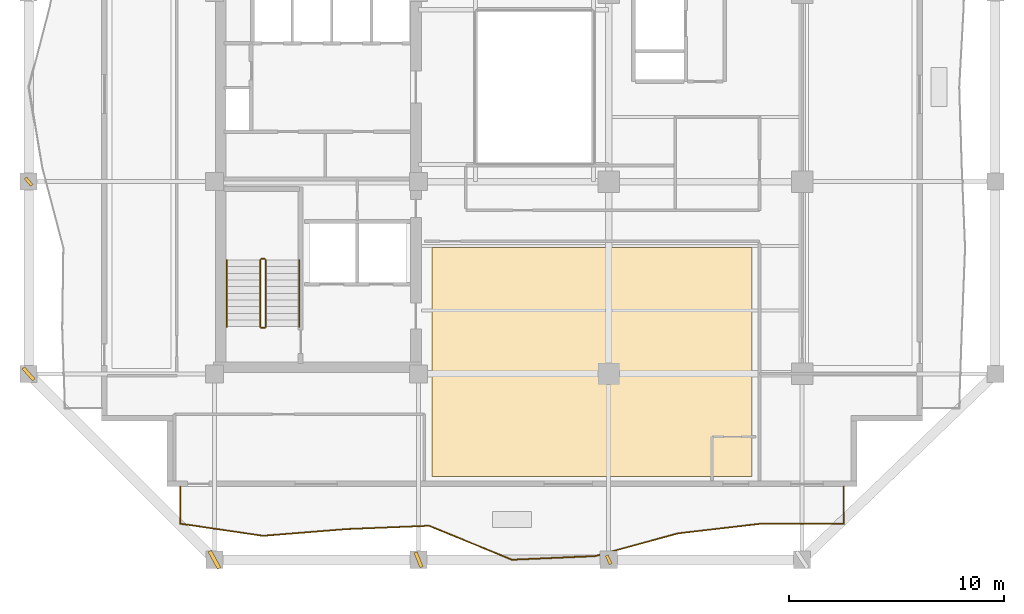
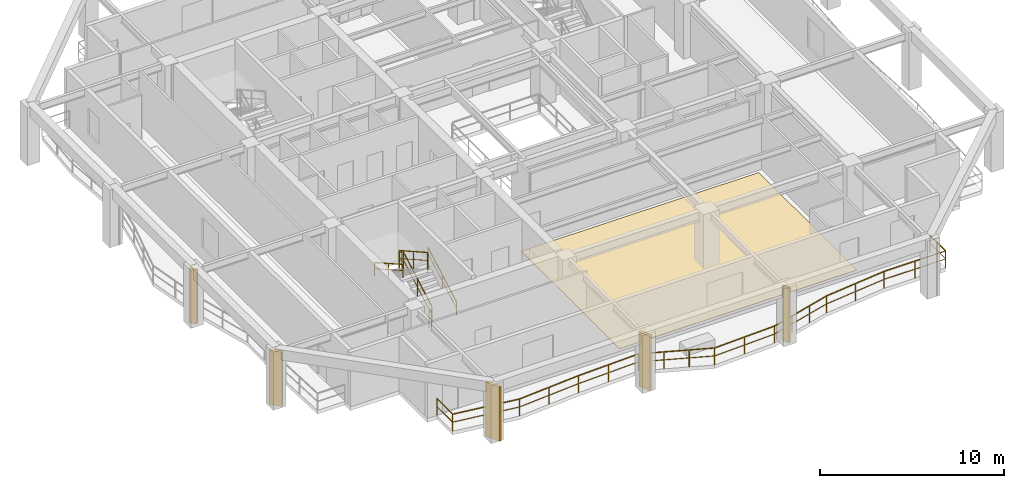
# One storey, part 7 of 10: 7 railings, 5 shading devices, 1 covering.
"""IFC4 building model written with IfcOpenShell, lengths in metres."""

from ifc_helpers import new_model, si_unit, direction, frame, origin, origin_2d, place, context, subcontext, project, spatial, polyline, rectangle, outline, extrude, material, layer, layer_set, type_object, element, save


model = new_model("IFC4")

# Units and contexts
model_context = context("Model", 3, precision=1e-05, world=origin(), true_north=direction((0.0, 1.0)))
body_context = subcontext(model_context, "Body", "Model", "MODEL_VIEW")
ifc_project = project(units=[si_unit("LENGTHUNIT", "METRE"), si_unit("AREAUNIT", "SQUARE_METRE"), si_unit("VOLUMEUNIT", "CUBIC_METRE"), si_unit("PLANEANGLEUNIT", "RADIAN"), si_unit("MASSUNIT", "GRAM", prefix="KILO")], contexts=[model_context])

# Site, building, storey
site_placement = place(None, origin())
site = spatial("IfcSite", under=ifc_project, at=site_placement, CompositionType="ELEMENT")
building_placement = place(site_placement, origin())
building = spatial("IfcBuilding", under=site, at=building_placement, Name="Kundavana Baori Tower", CompositionType="ELEMENT")
storey_placement = place(building_placement, frame((0.0, 0.0, 107.85009765625)))
storey = spatial("IfcBuildingStorey", under=building, at=storey_placement, Name="L25", CompositionType="ELEMENT", Elevation=107.85009765625)

# Covering
ifc_material_1 = material(Name="Honed Kota Stone and Terrazzo Flooring", Category="masonry")
ifc_layer = layer(ifc_material_1, 0.030029296875, Name="COV-INT-FLR")
ifc_layer_set = layer_set([ifc_layer], Name="Honed Kota Stone and Terrazzo Flooring")
covering_type = type_object("IfcCoveringType", Name="COV-INT-FLR", PredefinedType="FLOORING", material=ifc_layer_set)
covering_placement = place(storey_placement, origin())
element("IfcCovering", 1, at=covering_placement, inside=storey, type_object=covering_type, Name="L25 Room Finished Stone Flooring 2", PredefinedType="FLOORING", context=body_context, shape_type="SweptSolid", body=[
    extrude(outline(polyline([(25.580078125, 10.47998046875), (40.4599609375, 10.47998046875), (40.4599609375, 21.139892578125), (25.580078125, 21.139892578125), (25.580078125, 10.47998046875)])), origin(), (0.0, 0.0, 1.0), 0.02978515625),
])

# Railings
ifc_material_2 = material(Name="Architectural Patinated Bronze Metalwork")
railing_type_1 = type_object("IfcRailingType", Name="RL-BAL-1150", PredefinedType="BALUSTRADE", material=ifc_material_2)
railing_1_placement = place(storey_placement, frame((44.75, 10.0, 0.0)))
element("IfcRailing", 2, at=railing_1_placement, inside=storey, type_object=railing_type_1, Name="L25 Loggia Balcony Balustrade S", PredefinedType="BALUSTRADE", context=body_context, shape_type="SweptSolid", body=[
    extrude(rectangle(XDim=0.048095703125, YDim=0.048095703125, at=origin_2d()), frame((0.0, 0.0, 1.1259765625), z_axis=(0.0, -1.0, 0.0), x_axis=(1.0, 0.0, 0.0)), (0.0, 0.0, 1.0), 1.719970703125),
    extrude(rectangle(XDim=0.03125, YDim=0.03125, at=origin_2d()), frame((0.0, 0.0, 0.597900390625), z_axis=(0.0, -1.0, 0.0), x_axis=(1.0, 0.0, 0.0)), (0.0, 0.0, 1.0), 1.719970703125),
    extrude(rectangle(XDim=0.048095703125, YDim=0.048095703125, at=origin_2d()), frame((0.0, -1.719970703125, 1.1259765625), z_axis=(-0.999999422849, -0.001074384768, 0.0), x_axis=(0.001074384768, -0.999999422849, 0.0)), (0.0, 0.0, 1.0), 3.863037109375),
    extrude(rectangle(XDim=0.03125, YDim=0.03125, at=origin_2d()), frame((0.0, -1.719970703125, 0.597900390625), z_axis=(-0.999999422849, -0.001074384768, 0.0), x_axis=(0.001074384768, -0.999999422849, 0.0)), (0.0, 0.0, 1.0), 3.863037109375),
    extrude(rectangle(XDim=0.048095703125, YDim=0.048095703125, at=origin_2d()), frame((-3.863037109375, -1.72412109375, 1.1259765625), z_axis=(-0.993310395598, -0.115474923668, 0.0), x_axis=(0.115474923668, -0.993310395598, 0.0)), (0.0, 0.0, 1.0), 3.88818359375),
    extrude(rectangle(XDim=0.03125, YDim=0.03125, at=origin_2d()), frame((-3.863037109375, -1.72412109375, 0.597900390625), z_axis=(-0.993310395598, -0.115474923668, 0.0), x_axis=(0.115474923668, -0.993310395598, 0.0)), (0.0, 0.0, 1.0), 3.88818359375),
    extrude(rectangle(XDim=0.048095703125, YDim=0.048095703125, at=origin_2d()), frame((-7.72509765625, -2.173095703125, 1.1259765625), z_axis=(-0.96453126467, -0.263968633503, 0.0), x_axis=(0.263968633503, -0.96453126467, 0.0)), (0.0, 0.0, 1.0), 4.00390625),
    extrude(rectangle(XDim=0.03125, YDim=0.03125, at=origin_2d()), frame((-7.72509765625, -2.173095703125, 0.597900390625), z_axis=(-0.96453126467, -0.263968633503, 0.0), x_axis=(0.263968633503, -0.96453126467, 0.0)), (0.0, 0.0, 1.0), 4.00390625),
    extrude(rectangle(XDim=0.048095703125, YDim=0.048095703125, at=origin_2d()), frame((-11.5869140625, -3.22998046875, 1.1259765625), z_axis=(-0.999033990997, -0.043944110329, 0.0), x_axis=(0.043944110329, -0.999033990997, 0.0)), (0.0, 0.0, 1.0), 3.86669921875),
    extrude(rectangle(XDim=0.03125, YDim=0.03125, at=origin_2d()), frame((-11.5869140625, -3.22998046875, 0.597900390625), z_axis=(-0.999033990997, -0.043944110329, 0.0), x_axis=(0.043944110329, -0.999033990997, 0.0)), (0.0, 0.0, 1.0), 3.86669921875),
    extrude(rectangle(XDim=0.048095703125, YDim=0.048095703125, at=origin_2d()), frame((-15.449951171875, -3.39990234375, 1.1259765625), z_axis=(-0.925555344008, 0.378612341556, 0.0), x_axis=(-0.378612341556, -0.925555344008, 0.0)), (0.0, 0.0, 1.0), 4.172607421875),
    extrude(rectangle(XDim=0.03125, YDim=0.03125, at=origin_2d()), frame((-15.449951171875, -3.39990234375, 0.597900390625), z_axis=(-0.925555344008, 0.378612341556, 0.0), x_axis=(-0.378612341556, -0.925555344008, 0.0)), (0.0, 0.0, 1.0), 4.172607421875),
    extrude(rectangle(XDim=0.048095703125, YDim=0.048095703125, at=origin_2d()), frame((-19.31201171875, -1.820068359375, 1.1259765625), z_axis=(-0.99917533642, -0.040603535443, 0.0), x_axis=(0.040603535443, -0.99917533642, 0.0)), (0.0, 0.0, 1.0), 3.8662109375),
    extrude(rectangle(XDim=0.03125, YDim=0.03125, at=origin_2d()), frame((-19.31201171875, -1.820068359375, 0.597900390625), z_axis=(-0.99917533642, -0.040603535443, 0.0), x_axis=(0.040603535443, -0.99917533642, 0.0)), (0.0, 0.0, 1.0), 3.8662109375),
    extrude(rectangle(XDim=0.048095703125, YDim=0.048095703125, at=origin_2d()), frame((-23.175048828125, -1.97705078125, 1.1259765625), z_axis=(-0.996774285873, -0.080255984339, 0.0), x_axis=(0.080255984339, -0.996774285873, 0.0)), (0.0, 0.0, 1.0), 3.87548828125),
    extrude(rectangle(XDim=0.03125, YDim=0.03125, at=origin_2d()), frame((-23.175048828125, -1.97705078125, 0.597900390625), z_axis=(-0.996774285873, -0.080255984339, 0.0), x_axis=(0.080255984339, -0.996774285873, 0.0)), (0.0, 0.0, 1.0), 3.87548828125),
    extrude(rectangle(XDim=0.048095703125, YDim=0.048095703125, at=origin_2d()), frame((-27.0380859375, -2.2880859375, 1.1259765625), z_axis=(-0.989351719659, 0.145544408373, 0.0), x_axis=(-0.145544408373, -0.989351719659, 0.0)), (0.0, 0.0, 1.0), 3.9033203125),
    extrude(rectangle(XDim=0.03125, YDim=0.03125, at=origin_2d()), frame((-27.0380859375, -2.2880859375, 0.597900390625), z_axis=(-0.989351719659, 0.145544408373, 0.0), x_axis=(-0.145544408373, -0.989351719659, 0.0)), (0.0, 0.0, 1.0), 3.9033203125),
    extrude(rectangle(XDim=0.048095703125, YDim=0.048095703125, at=origin_2d()), frame((-30.89990234375, -1.719970703125, 1.1259765625), z_axis=(0.0, 1.0, 0.0), x_axis=(-1.0, 0.0, 0.0)), (0.0, 0.0, 1.0), 1.719970703125),
    extrude(rectangle(XDim=0.03125, YDim=0.03125, at=origin_2d()), frame((-30.89990234375, -1.719970703125, 0.597900390625), z_axis=(0.0, 1.0, 0.0), x_axis=(-1.0, 0.0, 0.0)), (0.0, 0.0, 1.0), 1.719970703125),
    extrude(rectangle(XDim=0.0419921875, YDim=0.0419921875, at=origin_2d()), origin(), (0.0, 0.0, 1.0), 1.101806640625),
    extrude(rectangle(XDim=0.0419921875, YDim=0.0419921875, at=origin_2d()), frame((0.0, -1.719970703125, 0.0)), (0.0, 0.0, 1.0), 1.101806640625),
    extrude(rectangle(XDim=0.0419921875, YDim=0.0419921875, at=origin_2d()), frame((-1.931640625, -1.72216796875, 0.0)), (0.0, 0.0, 1.0), 1.101806640625),
    extrude(rectangle(XDim=0.0419921875, YDim=0.0419921875, at=origin_2d()), frame((-3.863037109375, -1.72412109375, 0.0)), (0.0, 0.0, 1.0), 1.101806640625),
    extrude(rectangle(XDim=0.0419921875, YDim=0.0419921875, at=origin_2d()), frame((-5.7939453125, -1.94873046875, 0.0)), (0.0, 0.0, 1.0), 1.101806640625),
    extrude(rectangle(XDim=0.0419921875, YDim=0.0419921875, at=origin_2d()), frame((-7.72509765625, -2.173095703125, 0.0)), (0.0, 0.0, 1.0), 1.101806640625),
    extrude(rectangle(XDim=0.0419921875, YDim=0.0419921875, at=origin_2d()), frame((-9.012451171875, -2.525390625, 0.0)), (0.0, 0.0, 1.0), 1.101806640625),
    extrude(rectangle(XDim=0.0419921875, YDim=0.0419921875, at=origin_2d()), frame((-10.299560546875, -2.877685546875, 0.0)), (0.0, 0.0, 1.0), 1.101806640625),
    extrude(rectangle(XDim=0.0419921875, YDim=0.0419921875, at=origin_2d()), frame((-11.5869140625, -3.22998046875, 0.0)), (0.0, 0.0, 1.0), 1.101806640625),
    extrude(rectangle(XDim=0.0419921875, YDim=0.0419921875, at=origin_2d()), frame((-13.5185546875, -3.31494140625, 0.0)), (0.0, 0.0, 1.0), 1.101806640625),
    extrude(rectangle(XDim=0.0419921875, YDim=0.0419921875, at=origin_2d()), frame((-15.449951171875, -3.39990234375, 0.0)), (0.0, 0.0, 1.0), 1.101806640625),
    extrude(rectangle(XDim=0.0419921875, YDim=0.0419921875, at=origin_2d()), frame((-16.7373046875, -2.873291015625, 0.0)), (0.0, 0.0, 1.0), 1.101806640625),
    extrude(rectangle(XDim=0.0419921875, YDim=0.0419921875, at=origin_2d()), frame((-18.024658203125, -2.3466796875, 0.0)), (0.0, 0.0, 1.0), 1.101806640625),
    extrude(rectangle(XDim=0.0419921875, YDim=0.0419921875, at=origin_2d()), frame((-19.31201171875, -1.820068359375, 0.0)), (0.0, 0.0, 1.0), 1.101806640625),
    extrude(rectangle(XDim=0.0419921875, YDim=0.0419921875, at=origin_2d()), frame((-21.24365234375, -1.8984375, 0.0)), (0.0, 0.0, 1.0), 1.101806640625),
    extrude(rectangle(XDim=0.0419921875, YDim=0.0419921875, at=origin_2d()), frame((-23.175048828125, -1.97705078125, 0.0)), (0.0, 0.0, 1.0), 1.101806640625),
    extrude(rectangle(XDim=0.0419921875, YDim=0.0419921875, at=origin_2d()), frame((-25.1064453125, -2.132568359375, 0.0)), (0.0, 0.0, 1.0), 1.101806640625),
    extrude(rectangle(XDim=0.0419921875, YDim=0.0419921875, at=origin_2d()), frame((-27.0380859375, -2.2880859375, 0.0)), (0.0, 0.0, 1.0), 1.101806640625),
    extrude(rectangle(XDim=0.0419921875, YDim=0.0419921875, at=origin_2d()), frame((-28.968994140625, -2.00390625, 0.0)), (0.0, 0.0, 1.0), 1.101806640625),
    extrude(rectangle(XDim=0.0419921875, YDim=0.0419921875, at=origin_2d()), frame((-30.89990234375, -1.719970703125, 0.0)), (0.0, 0.0, 1.0), 1.101806640625),
    extrude(rectangle(XDim=0.0419921875, YDim=0.0419921875, at=origin_2d()), frame((-30.89990234375, 0.0, 0.0)), (0.0, 0.0, 1.0), 1.101806640625),
])
ifc_material_3 = material(Name="Architectural Patinated Bronze Metalwork")
railing_type_2 = type_object("IfcRailingType", Name="RL-GRD-1150", PredefinedType="GUARDRAIL", material=ifc_material_3)
railing_2_placement = place(storey_placement, frame((17.840087890625, 17.449951171875, 0.1748046875)))
element("IfcRailing", 3, at=railing_2_placement, inside=storey, type_object=railing_type_2, Name="L25 ST1 stair guard 1", PredefinedType="GUARDRAIL", context=body_context, shape_type="SweptSolid", body=[
    extrude(rectangle(XDim=0.048095703125, YDim=0.048095703125, at=origin_2d()), frame((0.0, 0.0, 1.1259765625), z_axis=(0.0, 0.870830938388, 0.491582624537), x_axis=(-1.0, 0.0, 0.0)), (0.0, 0.0, 1.0), 3.559814453125),
    extrude(rectangle(XDim=0.03125, YDim=0.03125, at=origin_2d()), frame((0.0, 0.0, 0.597900390625), z_axis=(0.0, 0.870830938388, 0.491582624537), x_axis=(-1.0, 0.0, 0.0)), (0.0, 0.0, 1.0), 3.559814453125),
    extrude(rectangle(XDim=0.0419921875, YDim=0.0419921875, at=origin_2d()), origin(), (0.0, 0.0, 1.0), 1.101806640625),
    extrude(rectangle(XDim=0.0419921875, YDim=0.0419921875, at=origin_2d()), frame((0.0, 1.550048828125, 0.875)), (0.0, 0.0, 1.0), 1.101806640625),
    extrude(rectangle(XDim=0.0419921875, YDim=0.0419921875, at=origin_2d()), frame((0.0, 3.10009765625, 1.75)), (0.0, 0.0, 1.0), 1.101806640625),
])
railing_3_placement = place(storey_placement, frame((17.7900390625, 20.60009765625, 1.9248046875)))
element("IfcRailing", 4, at=railing_3_placement, inside=storey, type_object=railing_type_2, Name="L25 ST1 stair guard 2", PredefinedType="GUARDRAIL", context=body_context, shape_type="SweptSolid", body=[
    extrude(rectangle(XDim=0.048095703125, YDim=0.048095703125, at=origin_2d()), frame((0.0, 0.0, 1.1259765625), z_axis=(-1.0, 0.0, 0.0), x_axis=(0.0, -1.0, 0.0)), (0.0, 0.0, 1.0), 0.16015625),
    extrude(rectangle(XDim=0.03125, YDim=0.03125, at=origin_2d()), frame((0.0, 0.0, 0.597900390625), z_axis=(-1.0, 0.0, 0.0), x_axis=(0.0, -1.0, 0.0)), (0.0, 0.0, 1.0), 0.16015625),
    extrude(rectangle(XDim=0.0419921875, YDim=0.0419921875, at=origin_2d()), origin(), (0.0, 0.0, 1.0), 1.101806640625),
    extrude(rectangle(XDim=0.0419921875, YDim=0.0419921875, at=origin_2d()), frame((-0.16015625, 0.0, 0.0)), (0.0, 0.0, 1.0), 1.101806640625),
])
railing_4_placement = place(storey_placement, frame((17.580078125, 20.550048828125, 2.099853515625)))
element("IfcRailing", 5, at=railing_4_placement, inside=storey, type_object=railing_type_2, Name="L25 ST1 stair guard 3", PredefinedType="GUARDRAIL", context=body_context, shape_type="SweptSolid", body=[
    extrude(rectangle(XDim=0.048095703125, YDim=0.048095703125, at=origin_2d()), frame((0.0, 0.0, 1.1259765625), z_axis=(0.0, -0.870830938388, 0.491582624537), x_axis=(1.0, 0.0, 0.0)), (0.0, 0.0, 1.0), 3.559814453125),
    extrude(rectangle(XDim=0.03125, YDim=0.03125, at=origin_2d()), frame((0.0, 0.0, 0.597900390625), z_axis=(0.0, -0.870830938388, 0.491582624537), x_axis=(1.0, 0.0, 0.0)), (0.0, 0.0, 1.0), 3.559814453125),
    extrude(rectangle(XDim=0.0419921875, YDim=0.0419921875, at=origin_2d()), origin(), (0.0, 0.0, 1.0), 1.101806640625),
    extrude(rectangle(XDim=0.0419921875, YDim=0.0419921875, at=origin_2d()), frame((0.0, -1.550048828125, 0.875)), (0.0, 0.0, 1.0), 1.101806640625),
    extrude(rectangle(XDim=0.0419921875, YDim=0.0419921875, at=origin_2d()), frame((0.0, -3.10009765625, 1.75)), (0.0, 0.0, 1.0), 1.101806640625),
])
railing_5_placement = place(storey_placement, frame((17.7900390625, 17.39990234375, 0.0)))
element("IfcRailing", 6, at=railing_5_placement, inside=storey, type_object=railing_type_2, Name="L25 ST1 stair guard 4", PredefinedType="GUARDRAIL", context=body_context, shape_type="SweptSolid", body=[
    extrude(rectangle(XDim=0.048095703125, YDim=0.048095703125, at=origin_2d()), frame((0.0, 0.0, 1.1259765625), z_axis=(-1.0, 0.0, 0.0), x_axis=(0.0, -1.0, 0.0)), (0.0, 0.0, 1.0), 0.16015625),
    extrude(rectangle(XDim=0.03125, YDim=0.03125, at=origin_2d()), frame((0.0, 0.0, 0.597900390625), z_axis=(-1.0, 0.0, 0.0), x_axis=(0.0, -1.0, 0.0)), (0.0, 0.0, 1.0), 0.16015625),
    extrude(rectangle(XDim=0.0419921875, YDim=0.0419921875, at=origin_2d()), origin(), (0.0, 0.0, 1.0), 1.101806640625),
    extrude(rectangle(XDim=0.0419921875, YDim=0.0419921875, at=origin_2d()), frame((-0.16015625, 0.0, 0.0)), (0.0, 0.0, 1.0), 1.101806640625),
])
ifc_material_4 = material(Name="Architectural Patinated Bronze Metalwork")
railing_type_3 = type_object("IfcRailingType", Name="RL-HND-920", PredefinedType="HANDRAIL", material=ifc_material_4)
railing_6_placement = place(storey_placement, frame((19.389892578125, 17.449951171875, 0.1748046875)))
element("IfcRailing", 7, at=railing_6_placement, inside=storey, type_object=railing_type_3, Name="L25 ST1 stair handrail 1", PredefinedType="HANDRAIL", context=body_context, shape_type="SweptSolid", body=[
    extrude(rectangle(XDim=0.048095703125, YDim=0.048095703125, at=origin_2d()), frame((0.0, 0.0, 0.8759765625), z_axis=(0.0, 0.870830938388, 0.491582624537), x_axis=(-1.0, 0.0, 0.0)), (0.0, 0.0, 1.0), 3.559814453125),
    extrude(rectangle(XDim=0.03125, YDim=0.03125, at=origin_2d()), frame((0.0, 0.0, 0.468017578125), z_axis=(0.0, 0.870830938388, 0.491582624537), x_axis=(-1.0, 0.0, 0.0)), (0.0, 0.0, 1.0), 3.559814453125),
    extrude(rectangle(XDim=0.0419921875, YDim=0.0419921875, at=origin_2d()), origin(), (0.0, 0.0, 1.0), 0.851806640625),
    extrude(rectangle(XDim=0.0419921875, YDim=0.0419921875, at=origin_2d()), frame((0.0, 1.550048828125, 0.875)), (0.0, 0.0, 1.0), 0.851806640625),
    extrude(rectangle(XDim=0.0419921875, YDim=0.0419921875, at=origin_2d()), frame((0.0, 3.10009765625, 1.75)), (0.0, 0.0, 1.0), 0.851806640625),
])
railing_7_placement = place(storey_placement, frame((16.030029296875, 20.550048828125, 2.099853515625)))
element("IfcRailing", 8, at=railing_7_placement, inside=storey, type_object=railing_type_3, Name="L25 ST1 stair handrail 2", PredefinedType="HANDRAIL", context=body_context, shape_type="SweptSolid", body=[
    extrude(rectangle(XDim=0.048095703125, YDim=0.048095703125, at=origin_2d()), frame((0.0, 0.0, 0.8759765625), z_axis=(0.0, -0.870830938388, 0.491582624537), x_axis=(1.0, 0.0, 0.0)), (0.0, 0.0, 1.0), 3.559814453125),
    extrude(rectangle(XDim=0.03125, YDim=0.03125, at=origin_2d()), frame((0.0, 0.0, 0.468017578125), z_axis=(0.0, -0.870830938388, 0.491582624537), x_axis=(1.0, 0.0, 0.0)), (0.0, 0.0, 1.0), 3.559814453125),
    extrude(rectangle(XDim=0.0419921875, YDim=0.0419921875, at=origin_2d()), origin(), (0.0, 0.0, 1.0), 0.851806640625),
    extrude(rectangle(XDim=0.0419921875, YDim=0.0419921875, at=origin_2d()), frame((0.0, -1.550048828125, 0.875)), (0.0, 0.0, 1.0), 0.851806640625),
    extrude(rectangle(XDim=0.0419921875, YDim=0.0419921875, at=origin_2d()), frame((0.0, -3.10009765625, 1.75)), (0.0, 0.0, 1.0), 0.851806640625),
])

# Shading devices
ifc_material_5 = material(Name="Red-Buff Dholpur Sandstone Cladding on Concrete C40/50", Category="masonry")
shading_device_type_1 = type_object("IfcShadingDeviceType", Name="SHD-FIN-750", PredefinedType="JALOUSIE", material=ifc_material_5)
for number, where, z_axis, x_axis, name in (
    (9, (24.949951171875, 6.60009765625, -0.000244140625), (0.0, 0.0, 1.0), (0.925209718386, 0.379456159529, 0.0), "L25 Sweeping Dholpur Sandstone Facade Fin 2"),
    (10, (6.800048828125, 15.25, -0.000244140625), (0.0, 0.0, 1.0), (0.751724718475, 0.659477025858, 0.0), "L25 Sweeping Dholpur Sandstone Facade Fin 5"),
):
    element("IfcShadingDevice", number, at=place(storey_placement, frame(where, z_axis=z_axis, x_axis=x_axis)), inside=storey, type_object=shading_device_type_1, Name=name, PredefinedType="JALOUSIE", context=body_context, shape_type="SweptSolid", body=[
        extrude(rectangle(XDim=0.159912109375, YDim=0.75, at=origin_2d()), origin(), (0.0, 0.0, 1.0), 3.60009765625),
    ])
ifc_material_6 = material(Name="Red-Buff Dholpur Sandstone Cladding on Concrete C40/50", Category="masonry")
shading_device_type_2 = type_object("IfcShadingDeviceType", Name="SHD-FIN-920", PredefinedType="JALOUSIE", material=ifc_material_6)
shading_device_placement = place(storey_placement, frame((15.449951171875, 6.60009765625, -0.000244140625), z_axis=(0.0, 0.0, 1.0), x_axis=(0.876306680044, 0.481753674102, 0.0)))
element("IfcShadingDevice", 11, at=shading_device_placement, inside=storey, type_object=shading_device_type_2, Name="L25 Sweeping Dholpur Sandstone Facade Fin 1", PredefinedType="JALOUSIE", context=body_context, shape_type="SweptSolid", body=[
    extrude(rectangle(XDim=0.179931640625, YDim=0.919921875, at=origin_2d()), origin(), (0.0, 0.0, 1.0), 3.60009765625),
])
ifc_material_7 = material(Name="Architectural Patinated Bronze Metalwork")
shading_device_type_3 = type_object("IfcShadingDeviceType", Name="SHD-LOUV-450", PredefinedType="SHUTTER", material=ifc_material_7)
for number, where, z_axis, x_axis, name in (
    (12, (33.800048828125, 6.60009765625, -0.000244140625), (0.0, 0.0, 1.0), (0.908435232127, 0.418025632026, 0.0), "L25 Sweeping Dholpur Sandstone Facade Fin 3"),
    (13, (6.800048828125, 24.199951171875, -0.000244140625), (0.0, 0.0, 1.0), (0.764021289334, 0.645191033296, 0.0), "L25 Sweeping Dholpur Sandstone Facade Fin 6"),
):
    element("IfcShadingDevice", number, at=place(storey_placement, frame(where, z_axis=z_axis, x_axis=x_axis)), inside=storey, type_object=shading_device_type_3, Name=name, PredefinedType="SHUTTER", context=body_context, shape_type="SweptSolid", body=[
        extrude(rectangle(XDim=0.139892578125, YDim=0.449951171875, at=origin_2d()), origin(), (0.0, 0.0, 1.0), 3.60009765625),
    ])

save(model, "model.ifc")
